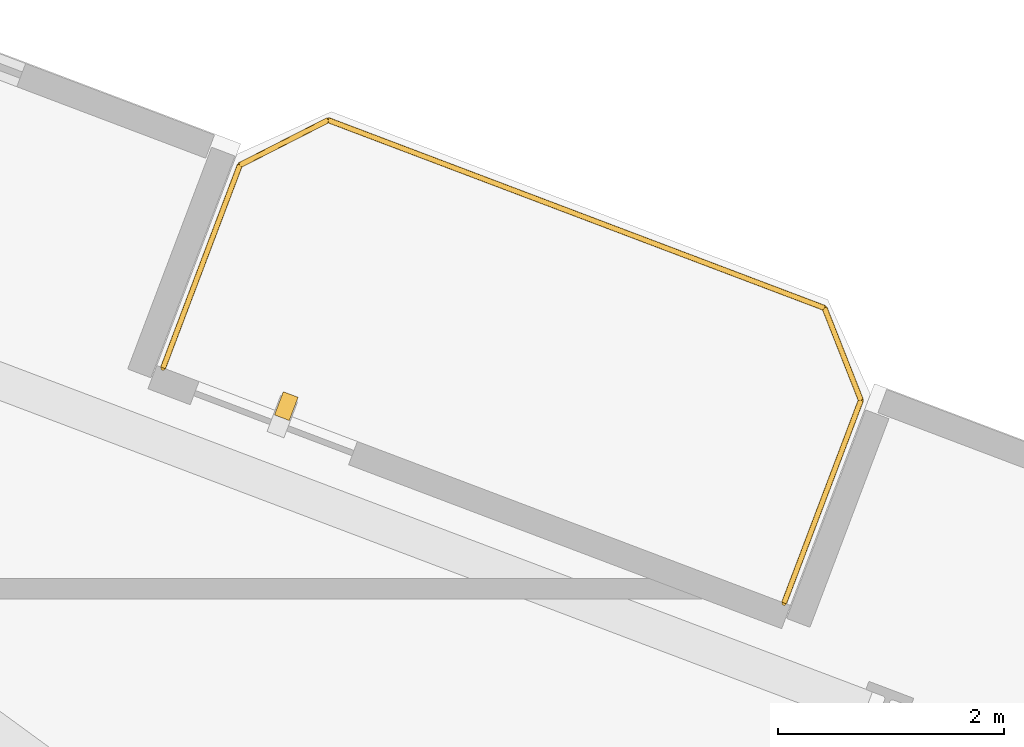
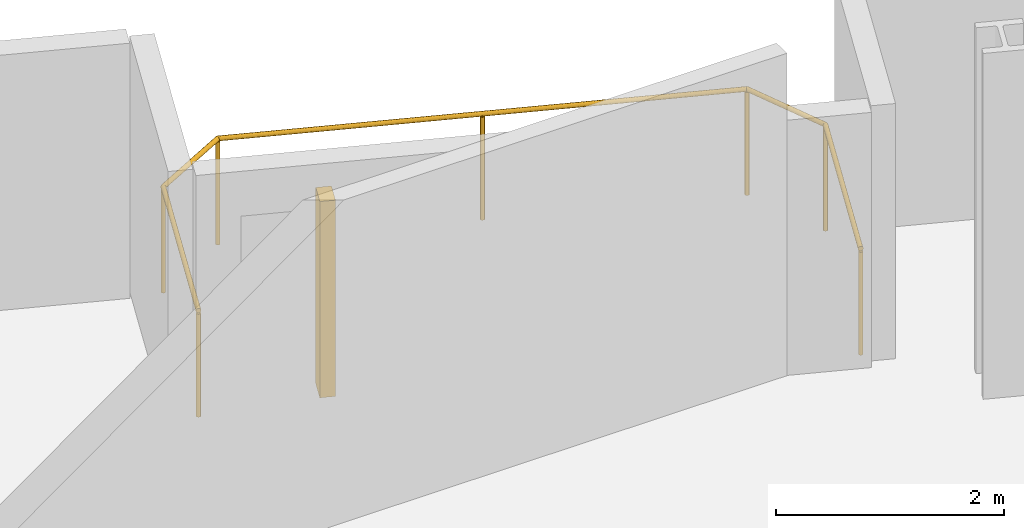
# One storey, part 25 of 25: 1 railing, 1 shading device.
"""IFC4 building model written with IfcOpenShell, lengths in metres."""

from ifc_helpers import new_model, si_unit, direction, frame, origin, origin_2d, place, context, subcontext, project, spatial, rectangle, circle, extrude, source, transform, mapped, material, type_object, element, save


model = new_model("IFC4")

# Units and contexts
model_context = context("Model", 3, precision=1e-05, world=origin(), true_north=direction((0.0, 1.0)))
body_context = subcontext(model_context, "Body", "Model", "MODEL_VIEW")
ifc_project = project(units=[si_unit("LENGTHUNIT", "METRE"), si_unit("AREAUNIT", "SQUARE_METRE"), si_unit("VOLUMEUNIT", "CUBIC_METRE"), si_unit("PLANEANGLEUNIT", "RADIAN"), si_unit("MASSUNIT", "GRAM", prefix="KILO")], contexts=[model_context])

# Site, building, storey
site_placement = place(None, origin())
site = spatial("IfcSite", under=ifc_project, at=site_placement, CompositionType="ELEMENT")
building_placement = place(site_placement, origin())
building = spatial("IfcBuilding", under=site, at=building_placement, Name="Varnelok Gate Tower", CompositionType="ELEMENT")
storey_placement = place(building_placement, frame((0.0, 0.0, 91.0)))
storey = spatial("IfcBuildingStorey", under=building, at=storey_placement, Name="L22", CompositionType="ELEMENT", Elevation=91.0)

# Railing
ifc_material_1 = material(Name="Low-E Laminated Double Glazing IGU", Category="glass")
railing_type = type_object("IfcRailingType", Name="RL-BALC-1150", PredefinedType="BALUSTRADE", material=ifc_material_1)
railing_placement = place(storey_placement, frame((57.49462890625, 41.256103515625, 0.0)))
element("IfcRailing", 1, at=railing_placement, inside=storey, type_object=railing_type, Name="L22 North Terrace Balustrade 6", PredefinedType="BALUSTRADE", context=body_context, shape_type="SweptSolid", body=[
    extrude(circle(Radius=0.02392578125, at=origin_2d()), frame((0.0, 0.0, 1.1259765625), z_axis=(0.354006333352, 0.935243025073, 0.0), x_axis=(-0.935243025073, 0.354006333352, 0.0)), (0.0, 0.0, 1.0), 1.919921875),
    extrude(circle(Radius=0.02392578125, at=origin_2d()), frame((0.6796875, 1.795654296875, 1.1259765625), z_axis=(0.89078254773, 0.454429810487, 0.0), x_axis=(-0.454429810487, 0.89078254773, 0.0)), (0.0, 0.0, 1.0), 0.8779296875),
    extrude(circle(Radius=0.02392578125, at=origin_2d()), frame((1.461669921875, 2.194580078125, 1.1259765625), z_axis=(0.935223045203, -0.354059113314, 0.0), x_axis=(0.354059113314, 0.935223045203, 0.0)), (0.0, 0.0, 1.0), 4.699951171875),
    extrude(circle(Radius=0.02392578125, at=origin_2d()), frame((5.857177734375, 0.530517578125, 1.1259765625), z_axis=(0.36659018357, -0.930382522036, 0.0), x_axis=(0.930382522036, 0.36659018357, 0.0)), (0.0, 0.0, 1.0), 0.877685546875),
    extrude(circle(Radius=0.02392578125, at=origin_2d()), frame((6.178955078125, -0.2861328125, 1.1259765625), z_axis=(-0.354117547856, -0.935200920819, 0.0), x_axis=(0.935200920819, -0.354117547856, 0.0)), (0.0, 0.0, 1.0), 1.920166015625),
    extrude(circle(Radius=0.02099609375, at=origin_2d()), origin(), (0.0, 0.0, 1.0), 1.101806640625),
    extrude(circle(Radius=0.02099609375, at=origin_2d()), frame((0.6796875, 1.795654296875, 0.0)), (0.0, 0.0, 1.0), 1.101806640625),
    extrude(circle(Radius=0.02099609375, at=origin_2d()), frame((1.461669921875, 2.194580078125, 0.0)), (0.0, 0.0, 1.0), 1.101806640625),
    extrude(circle(Radius=0.02099609375, at=origin_2d()), frame((3.659423828125, 1.362548828125, 0.0)), (0.0, 0.0, 1.0), 1.101806640625),
    extrude(circle(Radius=0.02099609375, at=origin_2d()), frame((5.857177734375, 0.530517578125, 0.0)), (0.0, 0.0, 1.0), 1.101806640625),
    extrude(circle(Radius=0.02099609375, at=origin_2d()), frame((6.178955078125, -0.2861328125, 0.0)), (0.0, 0.0, 1.0), 1.101806640625),
    extrude(circle(Radius=0.02099609375, at=origin_2d()), frame((5.4990234375, -2.081787109375, 0.0)), (0.0, 0.0, 1.0), 1.101806640625),
])

# Shading device
ifc_material_2 = material(Name="Glazed Architectural Terracotta Ceramic", Category="masonry")
shading_device_type = type_object("IfcShadingDeviceType", Name="SHD-TERRA-BAGUETTE", PredefinedType="USERDEFINED", material=ifc_material_2)
shared_shape = source(origin(), body_context, "Body", "SweptSolid", [
    extrude(rectangle(XDim=0.139892578125, YDim=0.219970703125, at=origin_2d()), origin(), (0.0, 0.0, 1.0), 2.10009765625),
])
shading_device_placement = place(storey_placement, frame((58.58544921875, 40.91796875, 0.099853515625), z_axis=(0.0, 0.0, 1.0), x_axis=(0.935221751401, -0.354062530786, 0.0)))
element("IfcShadingDevice", 2, at=shading_device_placement, inside=storey, type_object=shading_device_type, Name="L22 Terracotta Ceramic Baguette Sunscreen 6.1", ObjectType="BAGUETTE", PredefinedType="USERDEFINED", context=body_context, shape_type="MappedRepresentation", body=[
    mapped(shared_shape, transform((0.0, 0.0, 0.0), scale=1.0)),
])

save(model, "model.ifc")
